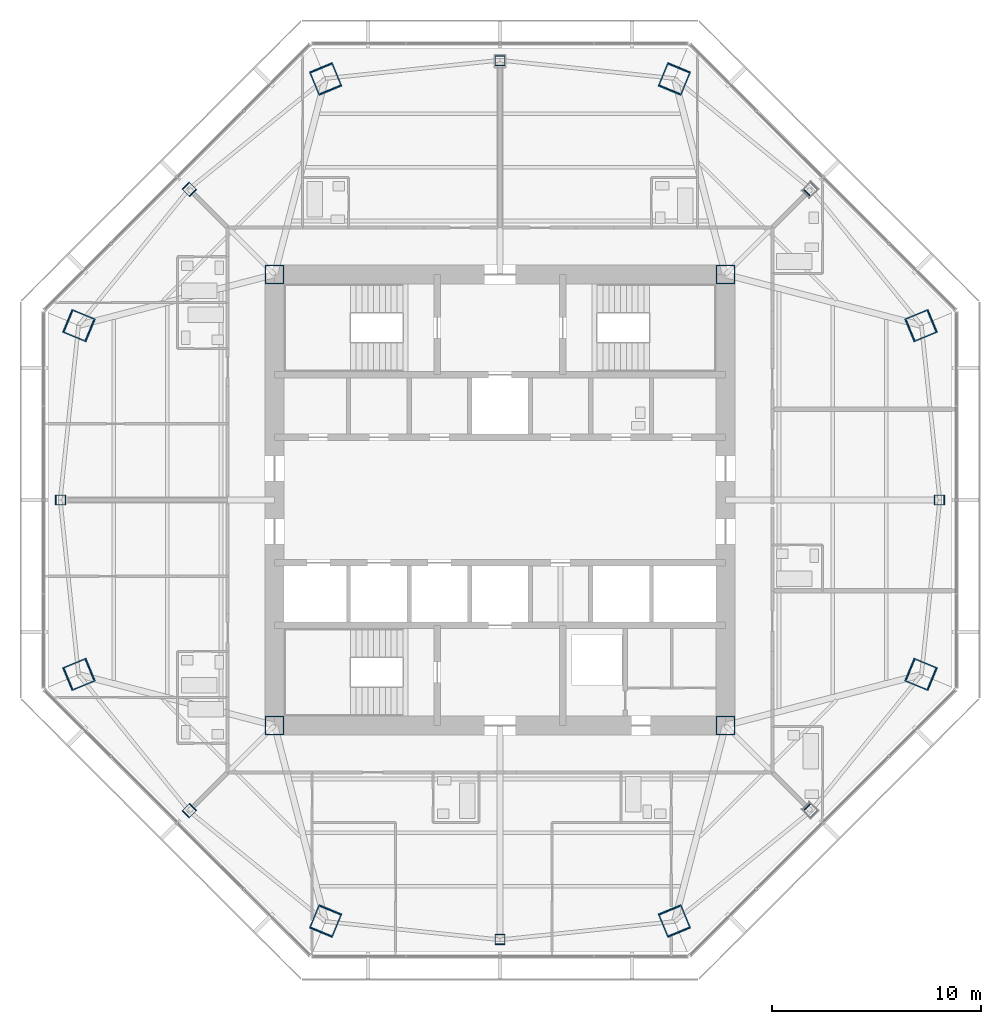
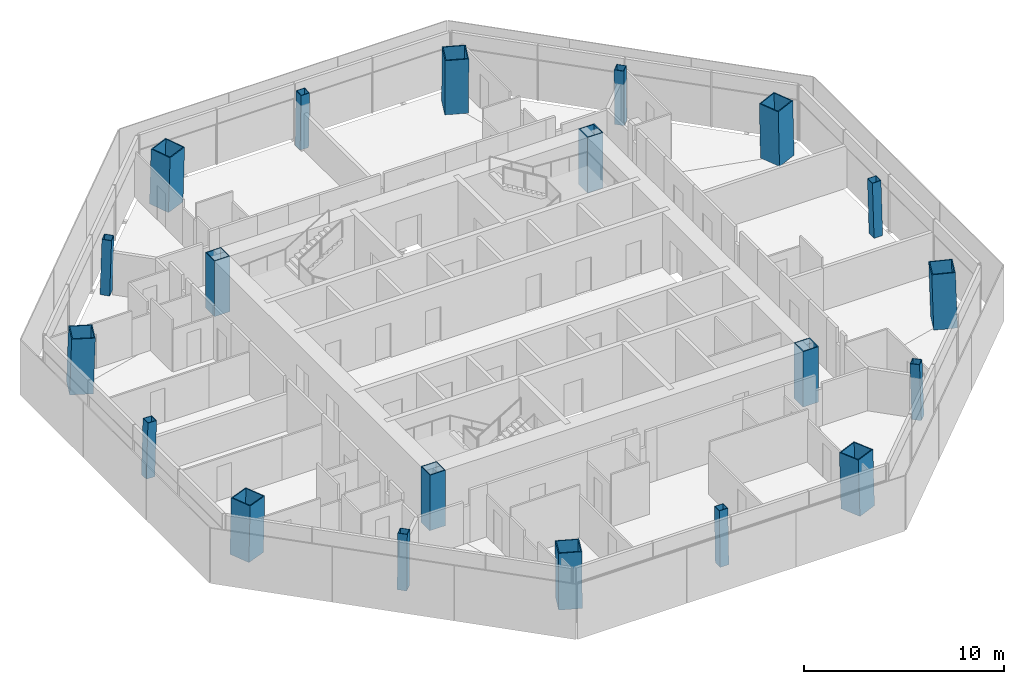
# One storey, part 1 of 16: 20 columns.
"""IFC4 building model written with IfcOpenShell, lengths in metres."""

from ifc_helpers import new_model, si_unit, direction, frame, origin, origin_2d, place, context, subcontext, project, spatial, hollow_rectangle, extrude, material, material_profile, profile_set, type_object, element, save


model = new_model("IFC4")

# Units and contexts
model_context = context("Model", 3, precision=1e-05, world=origin(), true_north=direction((0.0, 1.0)))
body_context = subcontext(model_context, "Body", "Model", "MODEL_VIEW")
ifc_project = project(units=[si_unit("LENGTHUNIT", "METRE"), si_unit("AREAUNIT", "SQUARE_METRE"), si_unit("VOLUMEUNIT", "CUBIC_METRE"), si_unit("PLANEANGLEUNIT", "RADIAN"), si_unit("MASSUNIT", "GRAM", prefix="KILO")], contexts=[model_context])

# Site, building, storey
site_placement = place(None, origin())
site = spatial("IfcSite", under=ifc_project, at=site_placement, CompositionType="ELEMENT")
building_placement = place(site_placement, origin())
building = spatial("IfcBuilding", under=site, at=building_placement, Name="Mashrafa Tower", CompositionType="ELEMENT")
storey_placement = place(building_placement, frame((0.0, 0.0, 217.60009765625)))
storey = spatial("IfcBuildingStorey", under=building, at=storey_placement, Name="L50", CompositionType="ELEMENT", Elevation=217.60009765625)

# Columns
ifc_material_1 = material(Name="Steel ASTM A572 Gr 50", Category="steel")
ifc_material_profile_1 = material_profile(ifc_material_1, hollow_rectangle(XDim=0.89990234375, YDim=0.89990234375, WallThickness=0.050048828125, at=origin_2d()), Name="BOX900X900X50")
ifc_profile_set_1 = profile_set([ifc_material_profile_1], Name="Steel ASTM A572 Gr 50")
column_type_1 = type_object("IfcColumnType", Name="Core corner column BOX900X900X50", PredefinedType="COLUMN", material=ifc_profile_set_1)
for number, where, z_axis, x_axis, name in (
    (1, (10.800048828125, 10.800048828125, 0.0), (0.0, 0.0, 1.0), (1.0, 0.0, 0.0), "Core corner column CC-NE L50"),
    (2, (-10.800048828125, 10.800048828125, 0.0), (0.0, 0.0, 1.0), (1.0, 0.0, 0.0), "Core corner column CC-NW L50"),
    (3, (-10.800048828125, -10.800048828125, 0.0), (0.0, 0.0, 1.0), (1.0, 0.0, 0.0), "Core corner column CC-SW L50"),
    (4, (10.800048828125, -10.800048828125, 0.0), (0.0, 0.0, 1.0), (1.0, 0.0, 0.0), "Core corner column CC-SE L50"),
):
    element("IfcColumn", number, at=place(storey_placement, frame(where, z_axis=z_axis, x_axis=x_axis)), inside=storey, type_object=column_type_1, Name=name, PredefinedType="COLUMN", context=body_context, shape_type="SweptSolid", body=[
        extrude(hollow_rectangle(XDim=0.89990234375, YDim=0.89990234375, WallThickness=0.050048828125, at=origin_2d()), origin(), (0.0, 0.0, 1.0), 3.39990234375),
    ])
ifc_material_2 = material(Name="Steel ASTM A572 Gr 50", Category="steel")
ifc_material_profile_2 = material_profile(ifc_material_2, hollow_rectangle(XDim=1.199951171875, YDim=1.199951171875, WallThickness=0.054931640625, at=origin_2d()), Name="BOX1200X1200X55")
ifc_profile_set_2 = profile_set([ifc_material_profile_2], Name="Steel ASTM A572 Gr 50")
column_type_2 = type_object("IfcColumnType", Name="Mega column CFST BOX1200X1200X55", PredefinedType="COLUMN", material=ifc_profile_set_2)
for number, where, z_axis, x_axis, name in (
    (5, (20.180908203125, 8.359130859375, 0.0), (-0.02827915051, -0.01169924247, 0.999531598986), (0.382282742426, -0.924045401938, 0.0), "Mega column MC1 L50"),
    (6, (8.359130859375, 20.180908203125, 0.0), (-0.01169924247, -0.02827915051, 0.999531598986), (0.924045401938, -0.382282742426, 0.0), "Mega column MC2 L50"),
    (7, (-8.359130859375, 20.180908203125, 0.0), (0.01169924247, -0.02827915051, 0.999531598986), (0.924045401938, 0.382282742426, 0.0), "Mega column MC3 L50"),
    (8, (-20.180908203125, 8.359130859375, 0.0), (0.02827915051, -0.01169924247, 0.999531598986), (0.382282742426, 0.924045401938, 0.0), "Mega column MC4 L50"),
    (9, (-20.180908203125, -8.359130859375, 0.0), (0.02827915051, 0.01169924247, 0.999531598986), (-0.382282742426, 0.924045401938, 0.0), "Mega column MC5 L50"),
    (10, (-8.359130859375, -20.180908203125, 0.0), (0.01169924247, 0.02827915051, 0.999531598986), (-0.924045401938, 0.382282742426, 0.0), "Mega column MC6 L50"),
    (11, (8.359130859375, -20.180908203125, 0.0), (-0.01169924247, 0.02827915051, 0.999531598986), (-0.924045401938, -0.382282742426, 0.0), "Mega column MC7 L50"),
    (12, (20.180908203125, -8.359130859375, 0.0), (-0.02827915051, 0.01169924247, 0.999531598986), (-0.382282742426, -0.924045401938, 0.0), "Mega column MC8 L50"),
):
    element("IfcColumn", number, at=place(storey_placement, frame(where, z_axis=z_axis, x_axis=x_axis)), inside=storey, type_object=column_type_2, Name=name, PredefinedType="COLUMN", context=body_context, shape_type="SweptSolid", body=[
        extrude(hollow_rectangle(XDim=1.199951171875, YDim=1.199951171875, WallThickness=0.054931640625, at=origin_2d()), origin(), (0.0, 0.0, 1.0), 3.401611328125),
    ])
ifc_material_3 = material(Name="Steel ASTM A572 Gr 50", Category="steel")
ifc_material_profile_3 = material_profile(ifc_material_3, hollow_rectangle(XDim=0.5, YDim=0.5, WallThickness=0.02490234375, at=origin_2d()), Name="BOX500X500X25")
ifc_profile_set_3 = profile_set([ifc_material_profile_3], Name="Steel ASTM A572 Gr 50")
column_type_3 = type_object("IfcColumnType", Name="Secondary column BOX500X500X25", PredefinedType="COLUMN", material=ifc_profile_set_3)
for number, where, z_axis, x_axis, name in (
    (13, (21.05908203125, 0.0, 0.0), (-0.028281086024, 0.0, 0.999600010091), (0.0, -1.0, 0.0), "Secondary column SC1 L50"),
    (14, (14.89111328125, 14.89111328125, 0.0), (-0.020026431307, -0.020026431307, 0.999598861593), (0.707106781187, -0.707106781187, 0.0), "Secondary column SC2 L50"),
    (15, (0.0, 21.05908203125, 0.0), (0.0, -0.028281086024, 0.999600010091), (1.0, 0.0, 0.0), "Secondary column SC3 L50"),
    (16, (-14.89111328125, 14.89111328125, 0.0), (0.020026431307, -0.020026431307, 0.999598861593), (0.707106781187, 0.707106781187, 0.0), "Secondary column SC4 L50"),
    (17, (-21.05908203125, 0.0, 0.0), (0.028281086024, 0.0, 0.999600010091), (0.0, 1.0, 0.0), "Secondary column SC5 L50"),
    (18, (-14.89111328125, -14.89111328125, 0.0), (0.020026431307, 0.020026431307, 0.999598861593), (-0.707106781187, 0.707106781187, 0.0), "Secondary column SC6 L50"),
    (19, (0.0, -21.05908203125, 0.0), (0.0, 0.028281086024, 0.999600010091), (-1.0, 0.0, 0.0), "Secondary column SC7 L50"),
    (20, (14.89111328125, -14.89111328125, 0.0), (-0.020026431307, 0.020026431307, 0.999598861593), (-0.707106781187, -0.707106781187, 0.0), "Secondary column SC8 L50"),
):
    element("IfcColumn", number, at=place(storey_placement, frame(where, z_axis=z_axis, x_axis=x_axis)), inside=storey, type_object=column_type_3, Name=name, PredefinedType="COLUMN", context=body_context, shape_type="SweptSolid", body=[
        extrude(hollow_rectangle(XDim=0.5, YDim=0.5, WallThickness=0.02490234375, at=origin_2d()), origin(), (0.0, 0.0, 1.0), 3.4013671875),
    ])

save(model, "model.ifc")
